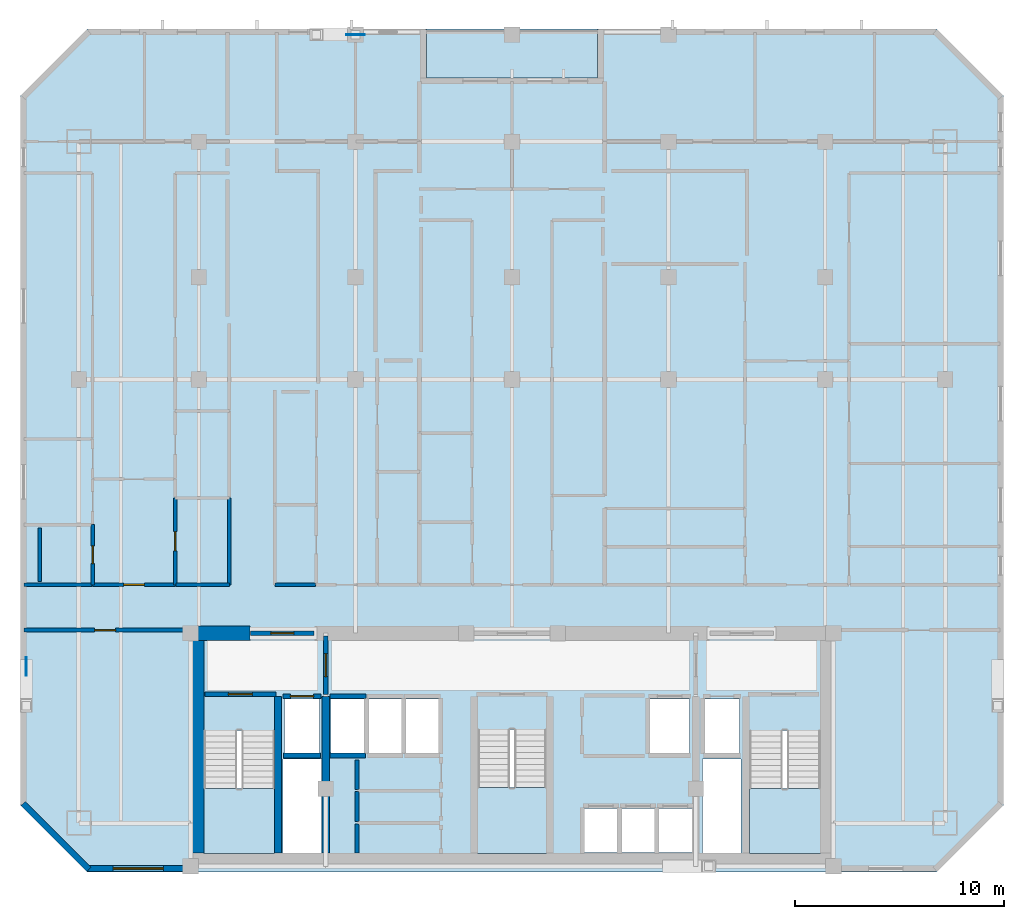
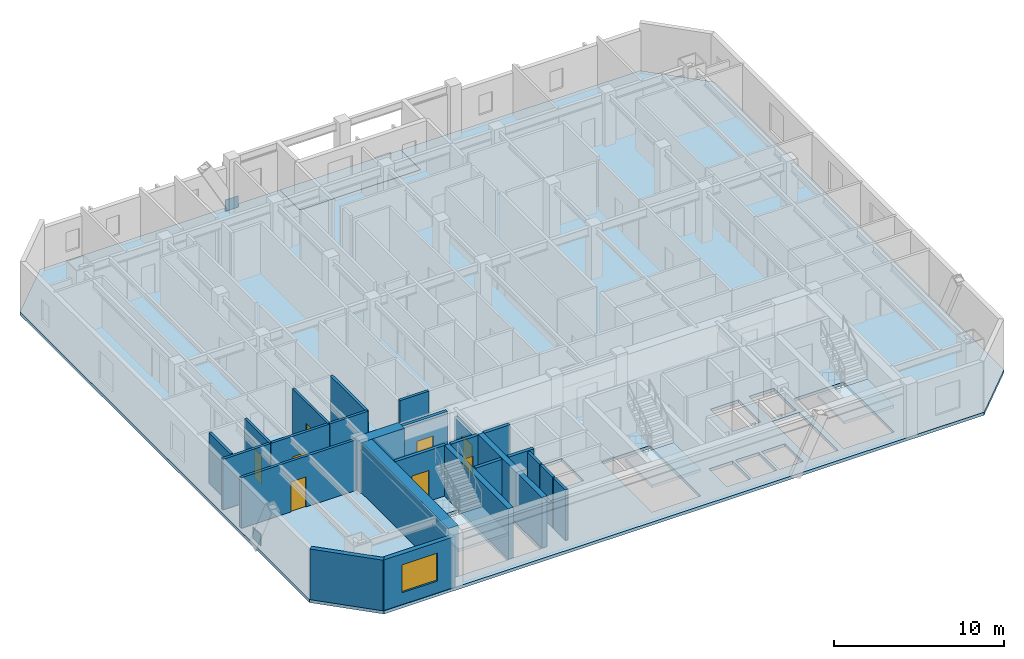
# One storey, part 2 of 9: 25 walls, 8 doors, 5 slabs, 2 plates, 1 window, 9 openings, 3 elements without a shape of their own.
"""IFC4 building model written with IfcOpenShell, lengths in metres."""

from ifc_helpers import new_model, si_unit, direction, frame, frame_2d, origin, origin_2d, place, context, subcontext, project, spatial, polyline, rectangle, outline, extrude, material, layer, layer_set, type_object, element, fill, aggregate, save


model = new_model("IFC4")

# Units and contexts
model_context = context("Model", 3, precision=1e-05, world=origin(), true_north=direction((0.0, 1.0)))
body_context = subcontext(model_context, "Body", "Model", "MODEL_VIEW")
ifc_project = project(units=[si_unit("LENGTHUNIT", "METRE"), si_unit("AREAUNIT", "SQUARE_METRE"), si_unit("VOLUMEUNIT", "CUBIC_METRE"), si_unit("PLANEANGLEUNIT", "RADIAN"), si_unit("MASSUNIT", "GRAM", prefix="KILO")], contexts=[model_context])

# Site, building, storey
site_placement = place(None, origin())
site = spatial("IfcSite", under=ifc_project, at=site_placement, CompositionType="ELEMENT")
building_placement = place(site_placement, origin())
building = spatial("IfcBuilding", under=site, at=building_placement, Name="Ventersveld Concourse Tower", CompositionType="ELEMENT")
storey_placement = place(building_placement, frame((0.0, 0.0, 172.14990234375)))
storey = spatial("IfcBuildingStorey", under=building, at=storey_placement, Name="L42", CompositionType="ELEMENT", Elevation=172.14990234375)

# Plates
ifc_material_1 = material(Name="Structural steel S355J2", Category="steel")
ifc_layer_1 = layer(ifc_material_1, 0.030029296875)
ifc_layer_set_1 = layer_set([ifc_layer_1], Name="Structural steel S355J2")
plate_type = type_object("IfcPlateType", Name="PL-CAP-30", PredefinedType="USERDEFINED", material=ifc_layer_set_1)
for number, where, z_axis, x_axis, name in (
    (1, (21.25, 40.1201171875, -0.099853515625), (0.0, 0.0, 1.0), (1.0, 0.0, 0.0), "L42 Mega-Brace Gusset Node Plate M10-N"),
    (2, (5.47998046875, 9.85009765625, -0.099853515625), (0.0, 0.0, 1.0), (0.0, 1.0, 0.0), "L42 Mega-Brace Gusset Node Plate M10-W"),
):
    element("IfcPlate", number, at=place(storey_placement, frame(where, z_axis=z_axis, x_axis=x_axis)), inside=storey, type_object=plate_type, Name=name, ObjectType="GUSSET_PLATE", PredefinedType="USERDEFINED", context=body_context, shape_type="SweptSolid", body=[
        extrude(rectangle(XDim=0.89990234375, YDim=0.030029296875, at=origin_2d()), origin(), (0.0, 0.0, 1.0), 0.89990234375),
    ])

# Slabs
ifc_material_2 = material(Name="Concrete C50/60", Category="concrete")
ifc_layer_2 = layer(ifc_material_2, 0.219970703125)
ifc_layer_set_2 = layer_set([ifc_layer_2], Name="Concrete C50/60")
slab_type_1 = type_object("IfcSlabType", Name="SL-FLR-220", PredefinedType="FLOOR", material=ifc_layer_set_2)
slab_1_placement = place(storey_placement, frame((0.0, 0.0, -0.219970703125)))
element("IfcSlab", 3, at=slab_1_placement, inside=storey, type_object=slab_type_1, Name="L42 Composite Floor Slab", PredefinedType="FLOOR", context=body_context, shape_type="SweptSolid", body=[
    extrude(outline(polyline([(8.39990234375, 0.0), (49.10009765625, 0.0), (52.300048828125, 3.199951171875), (52.300048828125, 37.199951171875), (49.10009765625, 40.39990234375), (32.85009765625, 40.39990234375), (32.85009765625, 38.050048828125), (24.64990234375, 38.050048828125), (24.64990234375, 40.39990234375), (8.39990234375, 40.39990234375), (5.199951171875, 37.199951171875), (5.199951171875, 3.199951171875), (8.39990234375, 0.0)]), holes=[polyline([(13.97998046875, 6.794921875), (13.97998046875, 0.89990234375), (17.3798828125, 0.89990234375), (17.3798828125, 6.794921875), (13.97998046875, 6.794921875)]), polyline([(40.1201171875, 6.794921875), (40.1201171875, 0.89990234375), (43.52001953125, 0.89990234375), (43.52001953125, 6.794921875), (40.1201171875, 6.794921875)]), polyline([(27.10009765625, 6.844970703125), (27.10009765625, 0.89990234375), (30.39990234375, 0.89990234375), (30.39990234375, 6.844970703125), (27.10009765625, 6.844970703125)]), polyline([(17.85009765625, 5.699951171875), (19.530029296875, 5.699951171875), (19.530029296875, 8.300048828125), (17.85009765625, 8.300048828125), (17.85009765625, 5.699951171875)]), polyline([(37.969970703125, 5.699951171875), (39.64990234375, 5.699951171875), (39.64990234375, 8.300048828125), (37.969970703125, 8.300048828125), (37.969970703125, 5.699951171875)]), polyline([(35.35009765625, 5.699951171875), (37.25, 5.699951171875), (37.25, 8.300048828125), (35.35009765625, 8.300048828125), (35.35009765625, 5.699951171875)]), polyline([(32.2099609375, 0.949951171875), (33.81005859375, 0.949951171875), (33.81005859375, 3.050048828125), (32.2099609375, 3.050048828125), (32.2099609375, 0.949951171875)]), polyline([(33.989990234375, 0.949951171875), (35.590087890625, 0.949951171875), (35.590087890625, 3.050048828125), (33.989990234375, 3.050048828125), (33.989990234375, 0.949951171875)]), polyline([(35.77001953125, 0.949951171875), (37.3701171875, 0.949951171875), (37.3701171875, 3.050048828125), (35.77001953125, 3.050048828125), (35.77001953125, 0.949951171875)]), polyline([(20.090087890625, 5.699951171875), (21.68994140625, 5.699951171875), (21.68994140625, 8.300048828125), (20.090087890625, 8.300048828125), (20.090087890625, 5.699951171875)]), polyline([(21.8701171875, 5.699951171875), (23.469970703125, 5.699951171875), (23.469970703125, 8.300048828125), (21.8701171875, 8.300048828125), (21.8701171875, 5.699951171875)]), polyline([(23.64990234375, 5.699951171875), (25.25, 5.699951171875), (25.25, 8.300048828125), (23.64990234375, 8.300048828125), (23.64990234375, 5.699951171875)]), polyline([(17.780029296875, 0.919921875), (19.6201171875, 0.919921875), (19.6201171875, 5.419921875), (17.780029296875, 5.419921875), (17.780029296875, 0.919921875)]), polyline([(37.8798828125, 0.919921875), (39.719970703125, 0.919921875), (39.719970703125, 5.419921875), (37.8798828125, 5.419921875), (37.8798828125, 0.919921875)])]), origin(), (0.0, 0.0, 1.0), 0.219970703125),
])
slab_2_placement = place(storey_placement, frame((0.0, 0.0, -0.219970703125)))
element("IfcSlab", 4, at=slab_2_placement, inside=storey, type_object=slab_type_1, Name="L42 Outdoor Terrace Slab NOTCH-N", PredefinedType="FLOOR", context=body_context, shape_type="SweptSolid", body=[
    extrude(outline(polyline([(24.64990234375, 38.050048828125), (32.85009765625, 38.050048828125), (32.85009765625, 40.39990234375), (24.64990234375, 40.39990234375), (24.64990234375, 38.050048828125)])), origin(), (0.0, 0.0, 1.0), 0.219970703125),
])

# Stair, slab
stair_type_1 = type_object("IfcStairType", Name="ST-DOG-160", PredefinedType="HALF_TURN_STAIR", material=ifc_material_2)
stair_1_placement = place(storey_placement, origin())
stair_1 = element("IfcStair", 5, at=stair_1_placement, inside=storey, type_object=stair_type_1, Name="L42 Protected Tower Escape Stair ST-01", PredefinedType="HALF_TURN_STAIR")
ifc_layer_3 = layer(ifc_material_2, 0.199951171875)
ifc_layer_set_3 = layer_set([ifc_layer_3], Name="Concrete C50/60")
slab_type_2 = type_object("IfcSlabType", Name="SL-LND-200", PredefinedType="LANDING", material=ifc_layer_set_3)
slab_3_placement = place(storey_placement, frame((0.0, 0.0, 1.72509765625)))
slab_3 = element("IfcSlab", 6, at=slab_3_placement, type_object=slab_type_2, Name="ST-01 landing 1", PredefinedType="LANDING", context=body_context, shape_type="SweptSolid", body=[
    extrude(outline(polyline([(13.97998046875, 4.0), (13.97998046875, 0.89990234375), (17.3798828125, 0.89990234375), (17.3798828125, 4.0), (13.97998046875, 4.0)])), origin(), (0.0, 0.0, 1.0), 0.199951171875),
])
aggregate(stair_1, [slab_3])

stair_2_placement = place(storey_placement, origin())
stair_2 = element("IfcStair", 7, at=stair_2_placement, inside=storey, type_object=stair_type_1, Name="L42 Protected Tower Escape Stair ST-02", PredefinedType="HALF_TURN_STAIR")
slab_4_placement = place(storey_placement, frame((0.0, 0.0, 1.72509765625)))
slab_4 = element("IfcSlab", 8, at=slab_4_placement, type_object=slab_type_2, Name="ST-02 landing 1", PredefinedType="LANDING", context=body_context, shape_type="SweptSolid", body=[
    extrude(outline(polyline([(40.1201171875, 4.0), (40.1201171875, 0.89990234375), (43.52001953125, 0.89990234375), (43.52001953125, 4.0), (40.1201171875, 4.0)])), origin(), (0.0, 0.0, 1.0), 0.199951171875),
])
aggregate(stair_2, [slab_4])

stair_type_2 = type_object("IfcStairType", Name="ST-DOG-155", PredefinedType="HALF_TURN_STAIR", material=ifc_material_2)
stair_3_placement = place(storey_placement, origin())
stair_3 = element("IfcStair", 9, at=stair_3_placement, inside=storey, type_object=stair_type_2, Name="L42 Protected Central Core Escape Stair ST-03", PredefinedType="HALF_TURN_STAIR")
slab_5_placement = place(storey_placement, frame((0.0, 0.0, 1.72509765625)))
slab_5 = element("IfcSlab", 10, at=slab_5_placement, type_object=slab_type_2, Name="ST-03 landing 1", PredefinedType="LANDING", context=body_context, shape_type="SweptSolid", body=[
    extrude(outline(polyline([(27.10009765625, 4.050048828125), (27.10009765625, 0.89990234375), (30.39990234375, 0.89990234375), (30.39990234375, 4.050048828125), (27.10009765625, 4.050048828125)])), origin(), (0.0, 0.0, 1.0), 0.199951171875),
])
aggregate(stair_3, [slab_5])

# Walls
ifc_material_3 = material(Name="Concrete C60/75", Category="concrete")
ifc_layer_4 = layer(ifc_material_3, 0.35009765625)
ifc_layer_set_4 = layer_set([ifc_layer_4], Name="Concrete C60/75")
wall_type_1 = type_object("IfcWallType", Name="WL-CORE-350L", PredefinedType="SHEAR", material=ifc_layer_set_4)
for number, where, z_axis, x_axis, name in (
    (11, (17.5400390625, 0.919921875, 0.0), (0.0, 0.0, 1.0), (0.0, 1.0, 0.0), "L42 Core Internal Shear Web W-ST1-E"),
    (12, (19.820068359375, 0.919921875, 0.0), (0.0, 0.0, 1.0), (0.0, 1.0, 0.0), "L42 Core Internal Shear Web W-FF1-E"),
):
    element("IfcWall", number, at=place(storey_placement, frame(where, z_axis=z_axis, x_axis=x_axis)), inside=storey, type_object=wall_type_1, Name=name, PredefinedType="SHEAR", context=body_context, shape_type="SweptSolid", body=[
        extrude(rectangle(XDim=7.5, YDim=0.35009765625, at=frame_2d((3.75, 0.0))), origin(), (0.0, 0.0, 1.0), 3.630126953125),
    ])
ifc_layer_5 = layer(ifc_material_3, 0.699951171875)
ifc_layer_set_5 = layer_set([ifc_layer_5], Name="Concrete C60/75")
wall_type_2 = type_object("IfcWallType", Name="WL-CORE-700", PredefinedType="SHEAR", material=ifc_layer_set_5)
wall_1_placement = place(storey_placement, frame((13.64990234375, 0.919921875, 0.0), z_axis=(0.0, 0.0, 1.0), x_axis=(0.0, 1.0, 0.0)))
element("IfcWall", 13, at=wall_1_placement, inside=storey, type_object=wall_type_2, Name="L42 Rear Core West Shear Wall", PredefinedType="SHEAR", context=body_context, shape_type="SweptSolid", body=[
    extrude(rectangle(XDim=10.530029296875, YDim=0.699951171875, at=frame_2d((5.26513671875, 0.0))), origin(), (0.0, 0.0, 1.0), 3.630126953125),
])
wall_2_placement = place(storey_placement, frame((13.25, 11.449951171875, 0.0), z_axis=(0.0, 0.0, 1.0), x_axis=(1.0, 0.0, 0.0)))
element("IfcWall", 14, at=wall_2_placement, inside=storey, type_object=wall_type_2, Name="L42 Rear Core North Shear Wall NW", PredefinedType="SHEAR", context=body_context, shape_type="SweptSolid", body=[
    extrude(rectangle(XDim=2.949951171875, YDim=0.699951171875, at=frame_2d((1.47509765625, 0.0))), origin(), (0.0, 0.0, 1.0), 3.630126953125),
])
ifc_material_4 = material(Name="Fire-rated autoclaved aerated masonry blockwork", Category="masonry")
ifc_layer_6 = layer(ifc_material_4, 0.179931640625)
ifc_layer_set_6 = layer_set([ifc_layer_6], Name="Fire-rated autoclaved aerated masonry blockwork")
wall_type_3 = type_object("IfcWallType", Name="WL-CORR-180", PredefinedType="PARTITIONING", material=ifc_layer_set_6)
wall_3_placement = place(storey_placement, frame((21.320068359375, 0.909912109375, 0.0), z_axis=(0.0, 0.0, 1.0), x_axis=(0.0, 1.0, 0.0)))
element("IfcWall", 15, at=wall_3_placement, inside=storey, type_object=wall_type_3, Name="L42 Core West Wall SP-L42-RECB1S", PredefinedType="PARTITIONING", context=body_context, shape_type="SweptSolid", body=[
    extrude(rectangle(XDim=1.41015625, YDim=0.179931640625, at=frame_2d((0.705078125, 0.0))), origin(), (0.0, 0.0, 1.0), 3.630126953125),
])
wall_4_placement = place(storey_placement, frame((21.320068359375, 2.419921875, 0.0), z_axis=(0.0, 0.0, 1.0), x_axis=(0.0, 1.0, 0.0)))
element("IfcWall", 16, at=wall_4_placement, inside=storey, type_object=wall_type_3, Name="L42 Core West Wall SP-L42-RECB1M", PredefinedType="PARTITIONING", context=body_context, shape_type="SweptSolid", body=[
    extrude(rectangle(XDim=1.440185546875, YDim=0.179931640625, at=frame_2d((0.72021484375, 0.0))), origin(), (0.0, 0.0, 1.0), 3.630126953125),
])
wall_5_placement = place(storey_placement, frame((21.320068359375, 3.9599609375, 0.0), z_axis=(0.0, 0.0, 1.0), x_axis=(0.0, 1.0, 0.0)))
element("IfcWall", 17, at=wall_5_placement, inside=storey, type_object=wall_type_3, Name="L42 Core West Wall SP-L42-RECB1N", PredefinedType="PARTITIONING", context=body_context, shape_type="SweptSolid", body=[
    extrude(rectangle(XDim=1.419921875, YDim=0.179931640625, at=frame_2d((0.7099609375, 0.0))), origin(), (0.0, 0.0, 1.0), 3.630126953125),
])

# Wall, opening, door
wall_6_placement = place(storey_placement, frame((5.37255859375, 11.60009765625, 0.0), z_axis=(0.0, 0.0, 1.0), x_axis=(1.0, 0.0, 0.0)))
wall_6 = element("IfcWall", 18, at=wall_6_placement, inside=storey, type_object=wall_type_3, Name="L42 Interior Partition SP-L42-SW-GAL-SP-L42-COR", PredefinedType="PARTITIONING", context=body_context, shape_type="SweptSolid", body=[
    extrude(rectangle(XDim=7.7724609375, YDim=0.179931640625, at=frame_2d((3.88623046875, 0.0))), origin(), (0.0, 0.0, 1.0), 3.630126953125),
])
opening_1_placement = place(wall_6_placement, frame((3.38623046875, 0.0, 0.0)))
opening_1 = element("IfcOpeningElement", 19, at=opening_1_placement, cuts=wall_6, Name="Opening FD3", PredefinedType="OPENING", context=body_context, shape_type="SweptSolid", body=[
    extrude(rectangle(XDim=1.0, YDim=2.14990234375, at=frame_2d((0.5, 1.074951171875))), frame((0.0, 0.10009765625, 0.0), z_axis=(0.0, -1.0, 0.0), x_axis=(1.0, 0.0, 0.0)), (0.0, 0.0, 1.0), 0.199951171875),
])
ifc_material_5 = material(Name="Solid-core hardwood veneer timber", Category="wood")
door_type_1 = type_object("IfcDoorType", Name="DR-FLAT-100", OperationType="NOTDEFINED", PredefinedType="DOOR", material=ifc_material_5)
door_1_placement = place(opening_1_placement, origin())
door_1 = element("IfcDoor", 20, at=door_1_placement, inside=storey, type_object=door_type_1, Name="L42 Interior Door SP-L42-SW-GAL to SP-L42-COR (D-L42-2051)", OperationType="SINGLE_SWING_LEFT", OverallHeight=2.14990234375, OverallWidth=1.0, PredefinedType="DOOR", context=body_context, shape_type="SweptSolid", body=[
    extrude(rectangle(XDim=1.0, YDim=2.14990234375, at=frame_2d((0.5, 1.074951171875))), frame((0.0, 0.02490234375, 0.0), z_axis=(0.0, -1.0, 0.0), x_axis=(1.0, 0.0, 0.0)), (0.0, 0.0, 1.0), 0.050048828125),
])
fill(opening_1, door_1)

wall_7_placement = place(storey_placement, frame((8.65380859375, 13.77001953125, 0.0), z_axis=(0.0, 0.0, 1.0), x_axis=(1.0, 0.0, 0.0)))
wall_7 = element("IfcWall", 21, at=wall_7_placement, inside=storey, type_object=wall_type_3, Name="L42 Interior Partition SP-L42-COR-SP-L42-42NW-FOY", PredefinedType="PARTITIONING", context=body_context, shape_type="SweptSolid", body=[
    extrude(rectangle(XDim=3.969970703125, YDim=0.179931640625, at=frame_2d((1.98486328125, 0.0))), origin(), (0.0, 0.0, 1.0), 3.630126953125),
])
opening_2_placement = place(wall_7_placement, frame((1.485107421875, 0.0, 0.0)))
opening_2 = element("IfcOpeningElement", 22, at=opening_2_placement, cuts=wall_7, Name="Opening FD3", PredefinedType="OPENING", context=body_context, shape_type="SweptSolid", body=[
    extrude(rectangle(XDim=1.0, YDim=2.14990234375, at=frame_2d((0.5, 1.074951171875))), frame((0.0, 0.10009765625, 0.0), z_axis=(0.0, -1.0, 0.0), x_axis=(1.0, 0.0, 0.0)), (0.0, 0.0, 1.0), 0.199951171875),
])
door_2_placement = place(opening_2_placement, origin())
door_2 = element("IfcDoor", 23, at=door_2_placement, inside=storey, type_object=door_type_1, Name="L42 Interior Door SP-L42-COR to SP-L42-42NW-FOY (FD-L42-2053)", OperationType="SINGLE_SWING_LEFT", OverallHeight=2.14990234375, OverallWidth=1.0, PredefinedType="DOOR", context=body_context, shape_type="SweptSolid", body=[
    extrude(rectangle(XDim=1.0, YDim=2.14990234375, at=frame_2d((0.5, 1.074951171875))), frame((0.0, 0.02490234375, 0.0), z_axis=(0.0, -1.0, 0.0), x_axis=(1.0, 0.0, 0.0)), (0.0, 0.0, 1.0), 0.050048828125),
])
fill(opening_2, door_2)

# Walls
wall_8_placement = place(storey_placement, frame((5.37255859375, 13.77001953125, 0.0), z_axis=(0.0, 0.0, 1.0), x_axis=(1.0, 0.0, 0.0)))
element("IfcWall", 24, at=wall_8_placement, inside=storey, type_object=wall_type_3, Name="L42 Interior Partition SP-L42-COR-SP-L42-42NW-BATH", PredefinedType="PARTITIONING", context=body_context, shape_type="SweptSolid", body=[
    extrude(rectangle(XDim=3.251220703125, YDim=0.179931640625, at=frame_2d((1.62548828125, 0.0))), origin(), (0.0, 0.0, 1.0), 3.630126953125),
])
wall_9_placement = place(storey_placement, frame((15.2099609375, 13.764892578125, 0.0), z_axis=(0.0, 0.0, 1.0), x_axis=(0.0, 1.0, 0.0)))
element("IfcWall", 25, at=wall_9_placement, inside=storey, type_object=wall_type_3, Name="L42 Interior Partition SP-L42-COR-SP-L42-42NW-KIT", PredefinedType="PARTITIONING", context=body_context, shape_type="SweptSolid", body=[
    extrude(rectangle(XDim=4.17138671875, YDim=0.179931640625, at=frame_2d((2.085693359375, 0.0))), origin(), (0.0, 0.0, 1.0), 3.630126953125),
])
wall_10_placement = place(storey_placement, frame((12.65380859375, 13.77001953125, 0.0), z_axis=(0.0, 0.0, 1.0), x_axis=(1.0, 0.0, 0.0)))
element("IfcWall", 26, at=wall_10_placement, inside=storey, type_object=wall_type_3, Name="L42 Interior Partition SP-L42-COR-SP-L42-42NW-KIT", PredefinedType="PARTITIONING", context=body_context, shape_type="SweptSolid", body=[
    extrude(rectangle(XDim=2.561279296875, YDim=0.179931640625, at=frame_2d((1.28076171875, 0.0))), origin(), (0.0, 0.0, 1.0), 3.630126953125),
])
wall_11_placement = place(storey_placement, frame((17.385009765625, 13.77001953125, 0.0), z_axis=(0.0, 0.0, 1.0), x_axis=(1.0, 0.0, 0.0)))
element("IfcWall", 27, at=wall_11_placement, inside=storey, type_object=wall_type_3, Name="L42 Interior Partition SP-L42-COR-SP-L42-42CW-BATH", PredefinedType="PARTITIONING", context=body_context, shape_type="SweptSolid", body=[
    extrude(rectangle(XDim=1.955810546875, YDim=0.179931640625, at=frame_2d((0.97802734375, 0.0))), origin(), (0.0, 0.0, 1.0), 3.630126953125),
])
ifc_layer_7 = layer(ifc_material_4, 0.219970703125)
ifc_layer_set_7 = layer_set([ifc_layer_7], Name="Fire-rated autoclaved aerated masonry blockwork")
wall_type_4 = type_object("IfcWallType", Name="WL-HOIST-220", PredefinedType="SOLIDWALL", material=ifc_layer_set_7)
wall_12_placement = place(storey_placement, frame((17.800048828125, 5.590087890625, 0.0), z_axis=(0.0, 0.0, 1.0), x_axis=(1.0, 0.0, 0.0)))
element("IfcWall", 28, at=wall_12_placement, inside=storey, type_object=wall_type_4, Name="L42 Lift Hoistway Back Wall FFL-01", PredefinedType="SOLIDWALL", context=body_context, shape_type="SweptSolid", body=[
    extrude(rectangle(XDim=1.780029296875, YDim=0.219970703125, at=frame_2d((0.89013671875, 0.0))), origin(), (0.0, 0.0, 1.0), 3.630126953125),
])

# Wall, opening, door
wall_13_placement = place(storey_placement, frame((17.780029296875, 8.429931640625, 0.0), z_axis=(0.0, 0.0, 1.0), x_axis=(1.0, 0.0, 0.0)))
wall_13 = element("IfcWall", 29, at=wall_13_placement, inside=storey, type_object=wall_type_4, Name="L42 Lift Hoistway Front Wall FFL-01", PredefinedType="SOLIDWALL", context=body_context, shape_type="SweptSolid", body=[
    extrude(rectangle(XDim=1.820068359375, YDim=0.219970703125, at=frame_2d((0.91015625, 0.0))), origin(), (0.0, 0.0, 1.0), 3.630126953125),
])
opening_3_placement = place(wall_13_placement, frame((0.35009765625, 0.0, 0.0)))
opening_3 = element("IfcOpeningElement", 30, at=opening_3_placement, cuts=wall_13, Name="Opening LD1", PredefinedType="OPENING", context=body_context, shape_type="SweptSolid", body=[
    extrude(rectangle(XDim=1.1201171875, YDim=2.25, at=frame_2d((0.56005859375, 1.125))), frame((0.0, 0.1201171875, 0.0), z_axis=(0.0, -1.0, 0.0), x_axis=(1.0, 0.0, 0.0)), (0.0, 0.0, 1.0), 0.239990234375),
])
ifc_material_6 = material(Name="Brushed stainless steel 316", Category="steel")
door_type_2 = type_object("IfcDoorType", Name="LD-FF-112", OperationType="SLIDING_TO_LEFT", PredefinedType="DOOR", material=ifc_material_6)
door_3_placement = place(opening_3_placement, origin())
door_3 = element("IfcDoor", 31, at=door_3_placement, inside=storey, type_object=door_type_2, Name="L42 Lift landing door FFL-01 (LD-L42-FFL-01)", OperationType="SLIDING_TO_LEFT", OverallHeight=2.25, OverallWidth=1.1201171875, PredefinedType="DOOR", context=body_context, shape_type="SweptSolid", body=[
    extrude(rectangle(XDim=1.1201171875, YDim=2.25, at=frame_2d((0.56005859375, 1.125))), frame((0.0, 0.02490234375, 0.0), z_axis=(0.0, -1.0, 0.0), x_axis=(1.0, 0.0, 0.0)), (0.0, 0.0, 1.0), 0.050048828125),
])
fill(opening_3, door_3)

# Walls
wall_14_placement = place(storey_placement, frame((20.0400390625, 5.590087890625, 0.0), z_axis=(0.0, 0.0, 1.0), x_axis=(1.0, 0.0, 0.0)))
element("IfcWall", 32, at=wall_14_placement, inside=storey, type_object=wall_type_4, Name="L42 Lift Hoistway Back Wall PH-01", PredefinedType="SOLIDWALL", context=body_context, shape_type="SweptSolid", body=[
    extrude(rectangle(XDim=1.699951171875, YDim=0.219970703125, at=frame_2d((0.85009765625, 0.0))), origin(), (0.0, 0.0, 1.0), 3.630126953125),
])
wall_15_placement = place(storey_placement, frame((20.02001953125, 8.429931640625, 0.0), z_axis=(0.0, 0.0, 1.0), x_axis=(1.0, 0.0, 0.0)))
element("IfcWall", 33, at=wall_15_placement, inside=storey, type_object=wall_type_4, Name="L42 Lift Hoistway Front Wall PH-01", PredefinedType="SOLIDWALL", context=body_context, shape_type="SweptSolid", body=[
    extrude(rectangle(XDim=1.739990234375, YDim=0.219970703125, at=frame_2d((0.8701171875, 0.0))), origin(), (0.0, 0.0, 1.0), 3.630126953125),
])

# Wall, opening, door
wall_16_placement = place(storey_placement, frame((14.0400390625, 8.52001953125, 0.0), z_axis=(0.0, 0.0, 1.0), x_axis=(1.0, 0.0, 0.0)))
wall_16 = element("IfcWall", 34, at=wall_16_placement, inside=storey, type_object=wall_type_4, Name="L42 Escape Stair ST01 Fire Wall", PredefinedType="SOLIDWALL", context=body_context, shape_type="SweptSolid", body=[
    extrude(rectangle(XDim=3.39990234375, YDim=0.219970703125, at=frame_2d((1.699951171875, 0.0))), origin(), (0.0, 0.0, 1.0), 3.630126953125),
])
opening_4_placement = place(wall_16_placement, frame((1.125, 0.0, 0.0)))
opening_4 = element("IfcOpeningElement", 35, at=opening_4_placement, cuts=wall_16, Name="Opening FD1", PredefinedType="OPENING", context=body_context, shape_type="SweptSolid", body=[
    extrude(rectangle(XDim=1.14990234375, YDim=2.199951171875, at=frame_2d((0.574951171875, 1.10009765625))), frame((0.0, 0.1201171875, 0.0), z_axis=(0.0, -1.0, 0.0), x_axis=(1.0, 0.0, 0.0)), (0.0, 0.0, 1.0), 0.239990234375),
])
ifc_material_7 = material(Name="Galvanised painted steel", Category="steel")
door_type_3 = type_object("IfcDoorType", Name="DR-STAIR-115", OperationType="NOTDEFINED", PredefinedType="DOOR", material=ifc_material_7)
door_4_placement = place(opening_4_placement, origin())
door_4 = element("IfcDoor", 36, at=door_4_placement, inside=storey, type_object=door_type_3, Name="L42 Escape Stair Door ST01 (SD-L42-2039)", OperationType="SINGLE_SWING_LEFT", OverallHeight=2.199951171875, OverallWidth=1.14990234375, PredefinedType="DOOR", context=body_context, shape_type="SweptSolid", body=[
    extrude(rectangle(XDim=1.14990234375, YDim=2.199951171875, at=frame_2d((0.574951171875, 1.10009765625))), frame((0.0, 0.02490234375, 0.0), z_axis=(0.0, -1.0, 0.0), x_axis=(1.0, 0.0, 0.0)), (0.0, 0.0, 1.0), 0.050048828125),
])
fill(opening_4, door_4)

wall_17_placement = place(storey_placement, frame((19.820068359375, 8.52001953125, 0.0), z_axis=(0.0, 0.0, 1.0), x_axis=(0.0, 1.0, 0.0)))
wall_17 = element("IfcWall", 37, at=wall_17_placement, inside=storey, type_object=wall_type_4, Name="L42 Firefighting Lobby Smoke-Stop Wall FFLW-SEP", PredefinedType="SOLIDWALL", context=body_context, shape_type="SweptSolid", body=[
    extrude(rectangle(XDim=2.800048828125, YDim=0.219970703125, at=frame_2d((1.39990234375, 0.0))), origin(), (0.0, 0.0, 1.0), 3.085693359375),
])
opening_5_placement = place(wall_17_placement, frame((0.85009765625, 0.0, 0.0)))
opening_5 = element("IfcOpeningElement", 38, at=opening_5_placement, cuts=wall_17, Name="Opening FD2", PredefinedType="OPENING", context=body_context, shape_type="SweptSolid", body=[
    extrude(rectangle(XDim=1.10009765625, YDim=2.199951171875, at=frame_2d((0.550048828125, 1.10009765625))), frame((0.0, 0.1201171875, 0.0), z_axis=(0.0, -1.0, 0.0), x_axis=(1.0, 0.0, 0.0)), (0.0, 0.0, 1.0), 0.239990234375),
])
door_type_4 = type_object("IfcDoorType", Name="DR-FFL-110", OperationType="NOTDEFINED", PredefinedType="DOOR", material=ifc_material_7)
door_5_placement = place(opening_5_placement, origin())
door_5 = element("IfcDoor", 39, at=door_5_placement, inside=storey, type_object=door_type_4, Name="L42 Firefighting Lobby Door FFLW-SEP (FD-L42-2042)", OperationType="SINGLE_SWING_LEFT", OverallHeight=2.199951171875, OverallWidth=1.10009765625, PredefinedType="DOOR", context=body_context, shape_type="SweptSolid", body=[
    extrude(rectangle(XDim=1.10009765625, YDim=2.199951171875, at=frame_2d((0.550048828125, 1.10009765625))), frame((0.0, 0.02490234375, 0.0), z_axis=(0.0, -1.0, 0.0), x_axis=(1.0, 0.0, 0.0)), (0.0, 0.0, 1.0), 0.050048828125),
])
fill(opening_5, door_5)

wall_18_placement = place(storey_placement, frame((16.22998046875, 11.449951171875, 0.0), z_axis=(0.0, 0.0, 1.0), x_axis=(1.0, 0.0, 0.0)))
wall_18 = element("IfcWall", 40, at=wall_18_placement, inside=storey, type_object=wall_type_4, Name="L42 Core North Fire Portal FFLW-OUT", PredefinedType="SOLIDWALL", context=body_context, shape_type="SweptSolid", body=[
    extrude(rectangle(XDim=3.0400390625, YDim=0.219970703125, at=frame_2d((1.52001953125, 0.0))), origin(), (0.0, 0.0, 1.0), 3.630126953125),
])
opening_6_placement = place(wall_18_placement, frame((0.969970703125, 0.0, 0.0)))
opening_6 = element("IfcOpeningElement", 41, at=opening_6_placement, cuts=wall_18, Name="Opening FD2", PredefinedType="OPENING", context=body_context, shape_type="SweptSolid", body=[
    extrude(rectangle(XDim=1.10009765625, YDim=2.199951171875, at=frame_2d((0.550048828125, 1.10009765625))), frame((0.0, 0.1201171875, 0.0), z_axis=(0.0, -1.0, 0.0), x_axis=(1.0, 0.0, 0.0)), (0.0, 0.0, 1.0), 0.239990234375),
])
door_6_placement = place(opening_6_placement, origin())
door_6 = element("IfcDoor", 42, at=door_6_placement, inside=storey, type_object=door_type_4, Name="L42 Core Lobby Fire Door FFLW-OUT (FD-L42-2044)", OperationType="SINGLE_SWING_RIGHT", OverallHeight=2.199951171875, OverallWidth=1.10009765625, PredefinedType="DOOR", context=body_context, shape_type="SweptSolid", body=[
    extrude(rectangle(XDim=1.10009765625, YDim=2.199951171875, at=frame_2d((0.550048828125, 1.10009765625))), frame((0.0, 0.02490234375, 0.0), z_axis=(0.0, -1.0, 0.0), x_axis=(1.0, 0.0, 0.0)), (0.0, 0.0, 1.0), 0.050048828125),
])
fill(opening_6, door_6)

ifc_material_8 = material(Name="Autoclaved aerated masonry blockwork", Category="masonry")
ifc_layer_8 = layer(ifc_material_8, 0.14990234375)
ifc_layer_set_8 = layer_set([ifc_layer_8], Name="Autoclaved aerated masonry blockwork")
wall_type_5 = type_object("IfcWallType", Name="WL-INT-150", PredefinedType="PARTITIONING", material=ifc_layer_set_8)
wall_19_placement = place(storey_placement, frame((12.61865234375, 13.764892578125, 0.0), z_axis=(0.0, 0.0, 1.0), x_axis=(0.0, 1.0, 0.0)))
wall_19 = element("IfcWall", 43, at=wall_19_placement, inside=storey, type_object=wall_type_5, Name="L42 Interior Partition SP-L42-42NW-FOY-SP-L42-42NW-KIT", PredefinedType="PARTITIONING", context=body_context, shape_type="SweptSolid", body=[
    extrude(rectangle(XDim=4.17138671875, YDim=0.14990234375, at=frame_2d((2.085693359375, 0.0))), origin(), (0.0, 0.0, 1.0), 3.630126953125),
])
opening_7_placement = place(wall_19_placement, frame((1.62548828125, 0.0, 0.0)))
opening_7 = element("IfcOpeningElement", 44, at=opening_7_placement, cuts=wall_19, Name="Opening ID1", PredefinedType="OPENING", context=body_context, shape_type="SweptSolid", body=[
    extrude(rectangle(XDim=0.919921875, YDim=2.10009765625, at=frame_2d((0.4599609375, 1.050048828125))), frame((0.0, 0.0849609375, 0.0), z_axis=(0.0, -1.0, 0.0), x_axis=(1.0, 0.0, 0.0)), (0.0, 0.0, 1.0), 0.169921875),
])
door_type_5 = type_object("IfcDoorType", Name="DR-ROOM-092", OperationType="NOTDEFINED", PredefinedType="DOOR", material=ifc_material_5)
door_7_placement = place(opening_7_placement, origin())
door_7 = element("IfcDoor", 45, at=door_7_placement, inside=storey, type_object=door_type_5, Name="L42 Interior Door SP-L42-42NW-FOY to SP-L42-42NW-KIT (D-L42-2060)", OperationType="SINGLE_SWING_RIGHT", OverallHeight=2.10009765625, OverallWidth=0.919921875, PredefinedType="DOOR", context=body_context, shape_type="SweptSolid", body=[
    extrude(rectangle(XDim=0.919921875, YDim=2.10009765625, at=frame_2d((0.4599609375, 1.050048828125))), frame((0.0, 0.02490234375, 0.0), z_axis=(0.0, -1.0, 0.0), x_axis=(1.0, 0.0, 0.0)), (0.0, 0.0, 1.0), 0.050048828125),
])
fill(opening_7, door_7)

# Wall, opening, window
ifc_material_9 = material(Name="Precast concrete C45/55", Category="concrete")
ifc_layer_9 = layer(ifc_material_9, 0.300048828125)
ifc_layer_set_9 = layer_set([ifc_layer_9], Name="Precast concrete C45/55")
wall_type_6 = type_object("IfcWallType", Name="WL-PREC-300", PredefinedType="SOLIDWALL", material=ifc_layer_set_9)
wall_20_placement = place(storey_placement, frame((8.43994140625, 0.179931640625, 0.0), z_axis=(0.0, 0.0, 1.0), x_axis=(1.0, 0.0, 0.0)))
wall_20 = element("IfcWall", 46, at=wall_20_placement, inside=storey, type_object=wall_type_6, Name="L42 South-West Flank Precast Wall", PredefinedType="SOLIDWALL", context=body_context, shape_type="SweptSolid", body=[
    extrude(rectangle(XDim=4.81005859375, YDim=0.300048828125, at=frame_2d((2.405029296875, 0.0))), origin(), (0.0, 0.0, 1.0), 3.630126953125),
])
opening_8_placement = place(wall_20_placement, frame((1.205078125, 0.0, 0.85009765625)))
opening_8 = element("IfcOpeningElement", 47, at=opening_8_placement, cuts=wall_20, Name="Opening W5", PredefinedType="OPENING", context=body_context, shape_type="SweptSolid", body=[
    extrude(rectangle(XDim=2.39990234375, YDim=2.0, at=frame_2d((1.199951171875, 1.0))), frame((0.0, 0.16015625, 0.0), z_axis=(0.0, -1.0, 0.0), x_axis=(1.0, 0.0, 0.0)), (0.0, 0.0, 1.0), 0.320068359375),
])
ifc_material_10 = material(Name="Tempered acoustic Low-E IGU", Category="glass")
window_type = type_object("IfcWindowType", Name="WIN-240x210", PartitioningType="SINGLE_PANEL", PredefinedType="WINDOW", material=ifc_material_10)
window_placement = place(opening_8_placement, origin())
window = element("IfcWindow", 48, at=window_placement, inside=storey, type_object=window_type, Name="L42 Punched Low-E Window W-0563", OverallHeight=2.0, OverallWidth=2.39990234375, PartitioningType="SINGLE_PANEL", PredefinedType="WINDOW", context=body_context, shape_type="SweptSolid", body=[
    extrude(rectangle(XDim=2.39990234375, YDim=2.0, at=frame_2d((1.199951171875, 1.0))), frame((0.0, 0.030029296875, 0.0), z_axis=(0.0, -1.0, 0.0), x_axis=(1.0, 0.0, 0.0)), (0.0, 0.0, 1.0), 0.06005859375),
])
fill(opening_8, window)

# Wall
wall_21_placement = place(storey_placement, frame((5.33447265625, 3.27783203125, 0.0), z_axis=(0.0, 0.0, 1.0), x_axis=(0.707106781187, -0.707106781187, 0.0)))
element("IfcWall", 49, at=wall_21_placement, inside=storey, type_object=wall_type_6, Name="L42 Highveld Precast Facade Wall E12", PredefinedType="SOLIDWALL", context=body_context, shape_type="SweptSolid", body=[
    extrude(rectangle(XDim=4.4453125, YDim=0.300048828125, at=frame_2d((2.22265625, 0.0))), origin(), (0.0, 0.0, 1.0), 3.630126953125),
])

# Wall, opening, door
ifc_layer_10 = layer(ifc_material_8, 0.1650390625)
ifc_layer_set_10 = layer_set([ifc_layer_10], Name="Autoclaved aerated masonry blockwork")
wall_type_7 = type_object("IfcWallType", Name="WL-WET-165", PredefinedType="PLUMBINGWALL", material=ifc_layer_set_10)
wall_22_placement = place(storey_placement, frame((8.65869140625, 13.764892578125, 0.0), z_axis=(0.0, 0.0, 1.0), x_axis=(0.0, 1.0, 0.0)))
wall_22 = element("IfcWall", 50, at=wall_22_placement, inside=storey, type_object=wall_type_7, Name="L42 Interior Partition SP-L42-42NW-FOY-SP-L42-42NW-BATH", PredefinedType="PLUMBINGWALL", context=body_context, shape_type="SweptSolid", body=[
    extrude(rectangle(XDim=2.885498046875, YDim=0.1650390625, at=frame_2d((1.44287109375, 0.0))), origin(), (0.0, 0.0, 1.0), 3.630126953125),
])
opening_9_placement = place(wall_22_placement, frame((1.017578125, 0.0, 0.0)))
opening_9 = element("IfcOpeningElement", 51, at=opening_9_placement, cuts=wall_22, Name="Opening ID2", PredefinedType="OPENING", context=body_context, shape_type="SweptSolid", body=[
    extrude(rectangle(XDim=0.85009765625, YDim=2.10009765625, at=frame_2d((0.425048828125, 1.050048828125))), frame((0.0, 0.092529296875, 0.0), z_axis=(0.0, -1.0, 0.0), x_axis=(1.0, 0.0, 0.0)), (0.0, 0.0, 1.0), 0.18505859375),
])
door_type_6 = type_object("IfcDoorType", Name="DR-BATH-085", OperationType="NOTDEFINED", PredefinedType="DOOR", material=ifc_material_5)
door_8_placement = place(opening_9_placement, origin())
door_8 = element("IfcDoor", 52, at=door_8_placement, inside=storey, type_object=door_type_6, Name="L42 Interior Door SP-L42-42NW-FOY to SP-L42-42NW-BATH (D-L42-2058)", OperationType="SINGLE_SWING_RIGHT", OverallHeight=2.10009765625, OverallWidth=0.85009765625, PredefinedType="DOOR", context=body_context, shape_type="SweptSolid", body=[
    extrude(rectangle(XDim=0.85009765625, YDim=2.10009765625, at=frame_2d((0.425048828125, 1.050048828125))), frame((0.0, 0.02490234375, 0.0), z_axis=(0.0, -1.0, 0.0), x_axis=(1.0, 0.0, 0.0)), (0.0, 0.0, 1.0), 0.050048828125),
])
fill(opening_9, door_8)

# Wall
wall_23_placement = place(storey_placement, frame((6.1201171875, 13.93505859375, 0.0), z_axis=(0.0, 0.0, 1.0), x_axis=(0.0, 1.0, 0.0)))
element("IfcWall", 53, at=wall_23_placement, inside=storey, type_object=wall_type_7, Name="L42 Room Enclosure Wall SP-L42-42NW-BATH", PredefinedType="PLUMBINGWALL", context=body_context, shape_type="SweptSolid", body=[
    extrude(rectangle(XDim=2.545166015625, YDim=0.1650390625, at=frame_2d((1.2724609375, 0.0))), origin(), (0.0, 0.0, 1.0), 3.630126953125),
])

save(model, "model.ifc")
